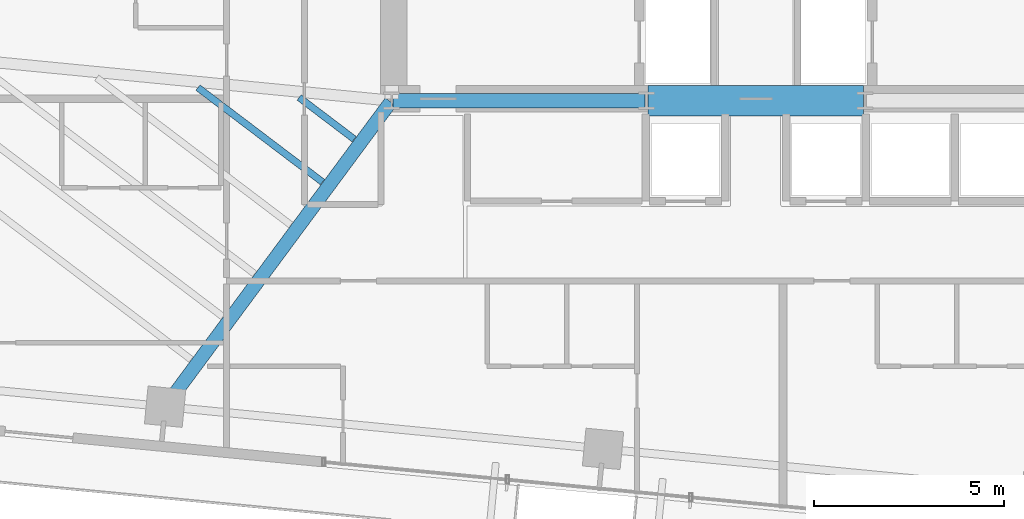
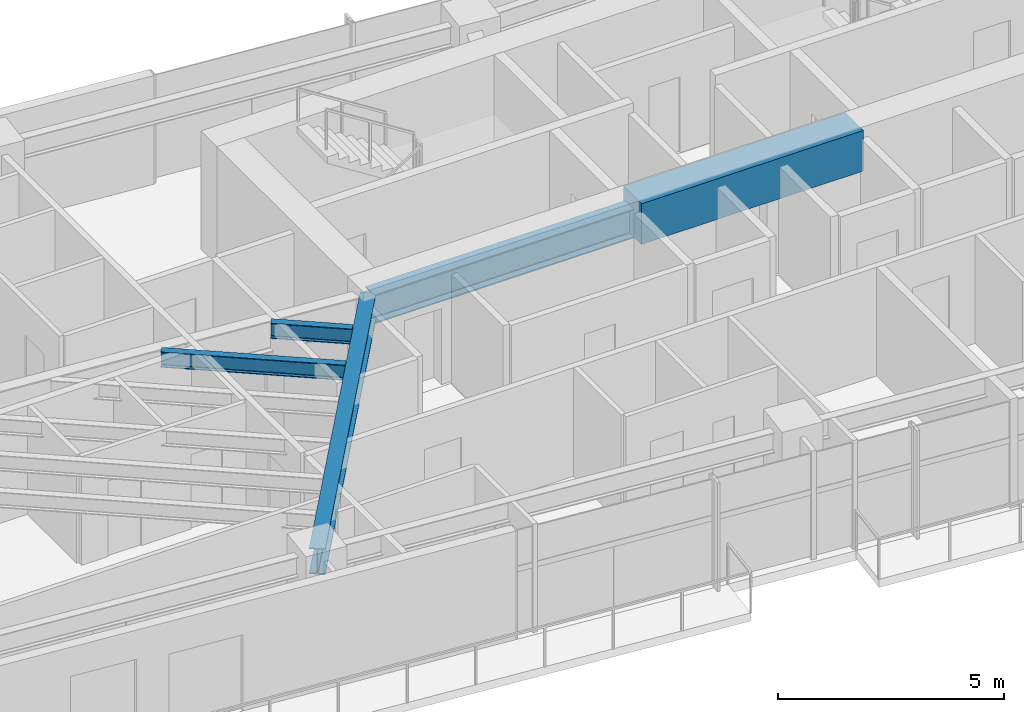
# One storey, part 5 of 20: 5 beams.
"""IFC4 building model written with IfcOpenShell, lengths in metres."""

from ifc_helpers import new_model, si_unit, direction, frame, origin, origin_2d, place, context, subcontext, project, spatial, rectangle, i_section, extrude, source, transform, mapped, material, material_profile, profile_set, type_object, type_shapes, element, save


model = new_model("IFC4")

# Units and contexts
model_context = context("Model", 3, precision=1e-05, world=origin(), true_north=direction((0.0, 1.0)))
body_context = subcontext(model_context, "Body", "Model", "MODEL_VIEW")
ifc_project = project(units=[si_unit("LENGTHUNIT", "METRE"), si_unit("AREAUNIT", "SQUARE_METRE"), si_unit("VOLUMEUNIT", "CUBIC_METRE"), si_unit("PLANEANGLEUNIT", "RADIAN"), si_unit("MASSUNIT", "GRAM", prefix="KILO")], contexts=[model_context])

# Site, building, storey
site_placement = place(None, origin())
site = spatial("IfcSite", under=ifc_project, at=site_placement, CompositionType="ELEMENT")
building_placement = place(site_placement, origin())
building = spatial("IfcBuilding", under=site, at=building_placement, Name="Astriad Promenade Condominiums", CompositionType="ELEMENT")
storey_placement = place(building_placement, frame((0.0, 0.0, 131.0)))
storey = spatial("IfcBuildingStorey", under=building, at=storey_placement, Name="L37", CompositionType="ELEMENT", Elevation=131.0)

# Beams
ifc_material_1 = material(Name="Steel ASTM A992 Grade 50", Category="steel")
ifc_material_profile_1 = material_profile(ifc_material_1, i_section(OverallWidth=0.3837890625, OverallDepth=0.785888671875, WebThickness=0.019775390625, FlangeThickness=0.033447265625, FilletRadius=0.021484375, at=origin_2d()), Name="W30X211")
ifc_profile_set_1 = profile_set([ifc_material_profile_1], Name="Steel ASTM A992 Grade 50")
beam_type_1 = type_object("IfcBeamType", Name="STEEL FLOOR GIRDER W30X211", PredefinedType="BEAM", material=ifc_profile_set_1)
shared_shape_1 = source(origin(), body_context, "Body", "SweptSolid", [
    extrude(i_section(OverallWidth=0.3837890625, OverallDepth=0.785888671875, WebThickness=0.019775390625, FlangeThickness=0.033447265625, FilletRadius=0.021484375, at=origin_2d()), origin(), (0.0, 0.0, 1.0), 6.64013671875),
])
type_shapes(beam_type_1, [shared_shape_1])
beam_1_placement = place(storey_placement, frame((26.43994140625, 17.39990234375, 2.547119140625), z_axis=(1.0, 0.0, 0.0), x_axis=(0.0, 1.0, 0.0)))
element("IfcBeam", 1, at=beam_1_placement, inside=storey, type_object=beam_type_1, Name="Core Ring Beam CG-S1-L37", PredefinedType="BEAM", context=body_context, shape_type="MappedRepresentation", body=[
    mapped(shared_shape_1, transform((0.0, 0.0, 0.0), scale=1.0)),
])
ifc_material_2 = material(Name="Concrete C80/95", Category="concrete")
ifc_material_profile_2 = material_profile(ifc_material_2, rectangle(XDim=0.800048828125, YDim=1.10009765625, at=origin_2d()), Name="RC-BM-800X1100")
ifc_profile_set_2 = profile_set([ifc_material_profile_2], Name="Concrete C80/95")
beam_type_2 = type_object("IfcBeamType", Name="CONCRETE CORE COUPLING LINTEL 800X1100", PredefinedType="LINTEL", material=ifc_profile_set_2)
shared_shape_2 = source(origin(), body_context, "Body", "SweptSolid", [
    extrude(rectangle(XDim=0.800048828125, YDim=1.10009765625, at=origin_2d()), origin(), (0.0, 0.0, 1.0), 5.68017578125),
])
type_shapes(beam_type_2, [shared_shape_2])
beam_2_placement = place(storey_placement, frame((33.159912109375, 17.39990234375, 2.6298828125), z_axis=(1.0, 0.0, 0.0), x_axis=(0.0, 1.0, 0.0)))
element("IfcBeam", 2, at=beam_2_placement, inside=storey, type_object=beam_type_2, Name="Core Ring Beam CG-S2-L37", PredefinedType="LINTEL", context=body_context, shape_type="MappedRepresentation", body=[
    mapped(shared_shape_2, transform((0.0, 0.0, 0.0), scale=1.0)),
])
ifc_material_profile_3 = material_profile(ifc_material_1, i_section(OverallWidth=0.35791015625, OverallDepth=0.706298828125, WebThickness=0.018310546875, FlangeThickness=0.0302734375, FilletRadius=0.020263671875, at=origin_2d()), Name="W27X178")
ifc_profile_set_3 = profile_set([ifc_material_profile_3], Name="Steel ASTM A992 Grade 50")
beam_type_3 = type_object("IfcBeamType", Name="STEEL FLOOR GIRDER W27X178", PredefinedType="BEAM", material=ifc_profile_set_3)
shared_shape_3 = source(origin(), body_context, "Body", "SweptSolid", [
    extrude(i_section(OverallWidth=0.35791015625, OverallDepth=0.706298828125, WebThickness=0.018310546875, FlangeThickness=0.0302734375, FilletRadius=0.020263671875, at=origin_2d()), origin(), (0.0, 0.0, 1.0), 9.958984375),
])
type_shapes(beam_type_3, [shared_shape_3])
beam_3_placement = place(storey_placement, frame((20.450927734375, 9.363525390625, 2.5869140625), z_axis=(0.59497542442, 0.803743892255, 0.0), x_axis=(-0.803743892255, 0.59497542442, 0.0)))
element("IfcBeam", 3, at=beam_3_placement, inside=storey, type_object=beam_type_3, Name="Primary Floor Girder PG-W2-L37", PredefinedType="BEAM", context=body_context, shape_type="MappedRepresentation", body=[
    mapped(shared_shape_3, transform((0.0, 0.0, 0.0), scale=1.0)),
])
ifc_material_profile_4 = material_profile(ifc_material_1, i_section(OverallWidth=0.180908203125, OverallDepth=0.417236328125, WebThickness=0.010986328125, FlangeThickness=0.018310546875, FilletRadius=0.013916015625, at=origin_2d()), Name="W16X57")
ifc_profile_set_4 = profile_set([ifc_material_profile_4], Name="Steel ASTM A992 Grade 50")
beam_type_4 = type_object("IfcBeamType", Name="STEEL FLOOR JOIST W16X57", PredefinedType="JOIST", material=ifc_profile_set_4)
shared_shape_4 = source(origin(), body_context, "Body", "SweptSolid", [
    extrude(i_section(OverallWidth=0.180908203125, OverallDepth=0.417236328125, WebThickness=0.010986328125, FlangeThickness=0.018310546875, FilletRadius=0.013916015625, at=origin_2d()), origin(), (0.0, 0.0, 1.0), 4.12109375),
])
beam_4_placement = place(storey_placement, frame((21.292724609375, 17.744140625, 2.731201171875), z_axis=(0.796968568798, -0.604020778077, 0.0), x_axis=(0.604020778077, 0.796968568798, 0.0)))
element("IfcBeam", 4, at=beam_4_placement, inside=storey, type_object=beam_type_4, Name="Secondary Composite Floor Joist JW1-5-L37", PredefinedType="JOIST", context=body_context, shape_type="MappedRepresentation", body=[
    mapped(shared_shape_4, transform((0.0, 0.0, 0.0), scale=1.0)),
])
shared_shape_5 = source(origin(), body_context, "Body", "SweptSolid", [
    extrude(i_section(OverallWidth=0.180908203125, OverallDepth=0.417236328125, WebThickness=0.010986328125, FlangeThickness=0.018310546875, FilletRadius=0.013916015625, at=origin_2d()), origin(), (0.0, 0.0, 1.0), 1.82177734375),
])
type_shapes(beam_type_4, [shared_shape_4, shared_shape_5])
beam_5_placement = place(storey_placement, frame((23.96142578125, 17.48486328125, 2.731201171875), z_axis=(0.796982671853, -0.604002169504, 0.0), x_axis=(0.604002169504, 0.796982671853, 0.0)))
element("IfcBeam", 5, at=beam_5_placement, inside=storey, type_object=beam_type_4, Name="Secondary Composite Floor Joist JW1-6-L37", PredefinedType="JOIST", context=body_context, shape_type="MappedRepresentation", body=[
    mapped(shared_shape_5, transform((0.0, 0.0, 0.0), scale=1.0)),
])

save(model, "model.ifc")
